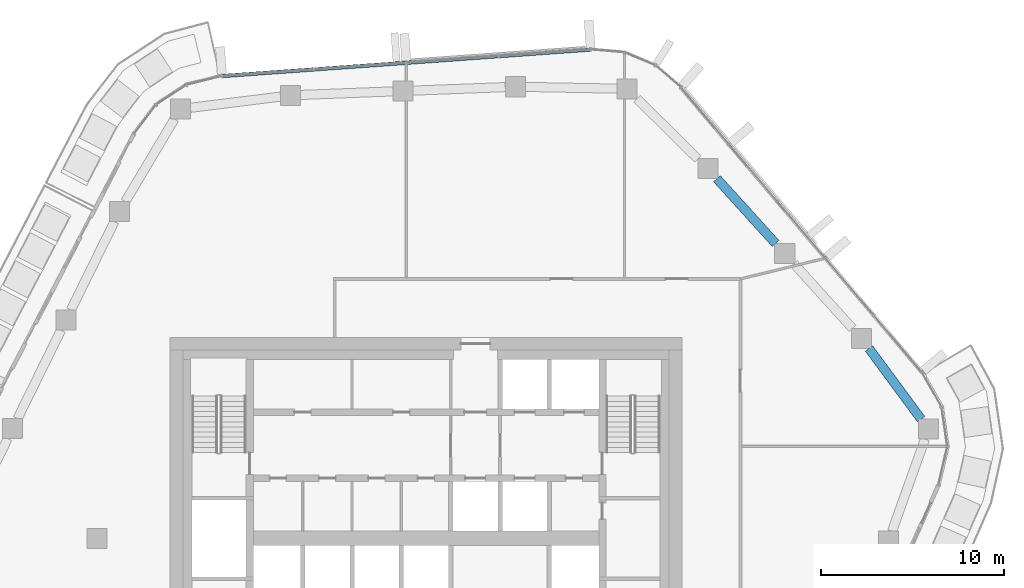
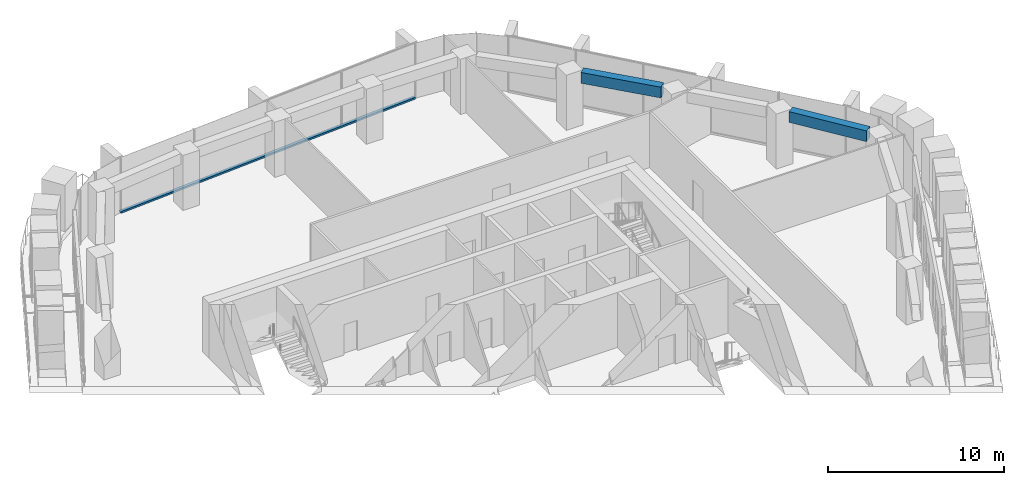
# One storey, part 8 of 21: 2 beams, 1 member, 1 element without a shape of its own.
"""IFC4 building model written with IfcOpenShell, lengths in metres."""

from ifc_helpers import new_model, si_unit, direction, frame, origin, origin_2d, place, context, subcontext, project, spatial, rectangle, extrude, material, layer, layer_set, material_profile, profile_set, type_object, element, aggregate, save


model = new_model("IFC4")

# Units and contexts
model_context = context("Model", 3, precision=1e-05, world=origin(), true_north=direction((0.0, 1.0)))
body_context = subcontext(model_context, "Body", "Model", "MODEL_VIEW")
ifc_project = project(units=[si_unit("LENGTHUNIT", "METRE"), si_unit("AREAUNIT", "SQUARE_METRE"), si_unit("VOLUMEUNIT", "CUBIC_METRE"), si_unit("PLANEANGLEUNIT", "RADIAN"), si_unit("MASSUNIT", "GRAM", prefix="KILO")], contexts=[model_context])

# Site, building, storey
site_placement = place(None, origin())
site = spatial("IfcSite", under=ifc_project, at=site_placement, CompositionType="ELEMENT")
building_placement = place(site_placement, origin())
building = spatial("IfcBuilding", under=site, at=building_placement, Name="Dongbaek Canopy Tower", CompositionType="ELEMENT")
storey_placement = place(building_placement, frame((0.0, 0.0, 274.800048828125)))
storey = spatial("IfcBuildingStorey", under=building, at=storey_placement, Name="L58", CompositionType="ELEMENT", Elevation=274.800048828125)

# Curtain wall, member
ifc_material_1 = material(Name="Aluminium 6063-T6 pale anodised", Category="aluminium")
ifc_layer = layer(ifc_material_1, 0.199951171875)
ifc_layer_set = layer_set([ifc_layer], Name="CW-1 unitised tower curtain wall")
curtain_wall_type = type_object("IfcCurtainWallType", Name="CW-1 unitised tower curtain wall", PredefinedType="NOTDEFINED", material=ifc_layer_set)
curtain_wall_placement = place(storey_placement, origin())
curtain_wall = element("IfcCurtainWall", 1, at=curtain_wall_placement, inside=storey, type_object=curtain_wall_type, Name="CW-1 curtain wall F1.1", PredefinedType="NOTDEFINED")
ifc_material_2 = material(Name="Aluminium 6063-T6 pale anodised", Category="aluminium")
ifc_material_profile_1 = material_profile(ifc_material_2, rectangle(XDim=0.199951171875, YDim=0.1201171875, at=origin_2d()), Name="CW-1 transom 120 x 200")
ifc_profile_set_1 = profile_set([ifc_material_profile_1], Name="Aluminium 6063-T6 pale anodised")
member_type = type_object("IfcMemberType", Name="CW-1 transom 120 x 200", PredefinedType="USERDEFINED", material=ifc_profile_set_1)
member_placement = place(storey_placement, frame((9.010986328125, 26.750732421875, 0.06005859375), z_axis=(-0.997423406214, -0.071739450345, 0.0), x_axis=(0.071739450345, -0.997423406214, 0.0)))
member = element("IfcMember", 2, at=member_placement, type_object=member_type, Name="CW-1 transom F1.1.1", ObjectType="TRANSOM", PredefinedType="USERDEFINED", context=body_context, shape_type="SweptSolid", body=[
    extrude(rectangle(XDim=0.199951171875, YDim=0.1201171875, at=origin_2d()), origin(), (0.0, 0.0, 1.0), 20.224853515625),
])
aggregate(curtain_wall, [member])

# Beams
ifc_material_3 = material(Name="Concrete C70", Category="concrete")
ifc_material_profile_2 = material_profile(ifc_material_3, rectangle(XDim=0.5, YDim=0.75, at=origin_2d()), Name="RC EDGE BEAM 500x750 C70")
ifc_profile_set_2 = profile_set([ifc_material_profile_2], Name="Concrete C70")
beam_type = type_object("IfcBeamType", Name="RC EDGE BEAM 500x750 C70", PredefinedType="BEAM", material=ifc_profile_set_2)
beam_1_placement = place(storey_placement, frame((15.916015625, 19.678955078125, 3.445068359375), z_axis=(0.671330225436, -0.741158369322, 0.0), x_axis=(0.741158369322, 0.671330225436, 0.0)))
element("IfcBeam", 3, at=beam_1_placement, inside=storey, type_object=beam_type, Name="EDGEBEAM:L58:18", PredefinedType="BEAM", context=body_context, shape_type="SweptSolid", body=[
    extrude(rectangle(XDim=0.5, YDim=0.75, at=origin_2d()), origin(), (0.0, 0.0, 1.0), 4.782958984375),
])
beam_2_placement = place(storey_placement, frame((24.23681640625, 10.388916015625, 3.445068359375), z_axis=(0.593714292615, -0.804675921564, 0.0), x_axis=(0.804675921564, 0.593714292615, 0.0)))
element("IfcBeam", 4, at=beam_2_placement, inside=storey, type_object=beam_type, Name="EDGEBEAM:L58:20", PredefinedType="BEAM", context=body_context, shape_type="SweptSolid", body=[
    extrude(rectangle(XDim=0.5, YDim=0.75, at=origin_2d()), origin(), (0.0, 0.0, 1.0), 4.79931640625),
])

save(model, "model.ifc")
